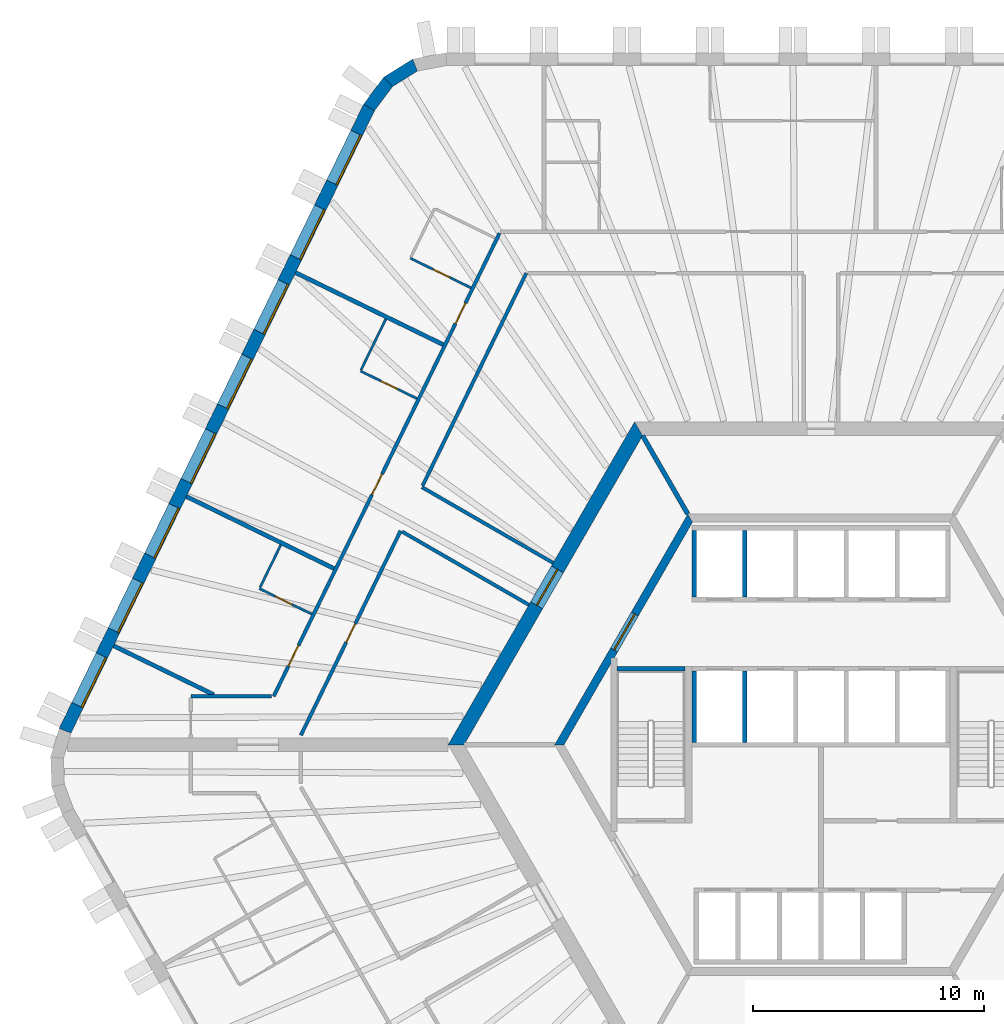
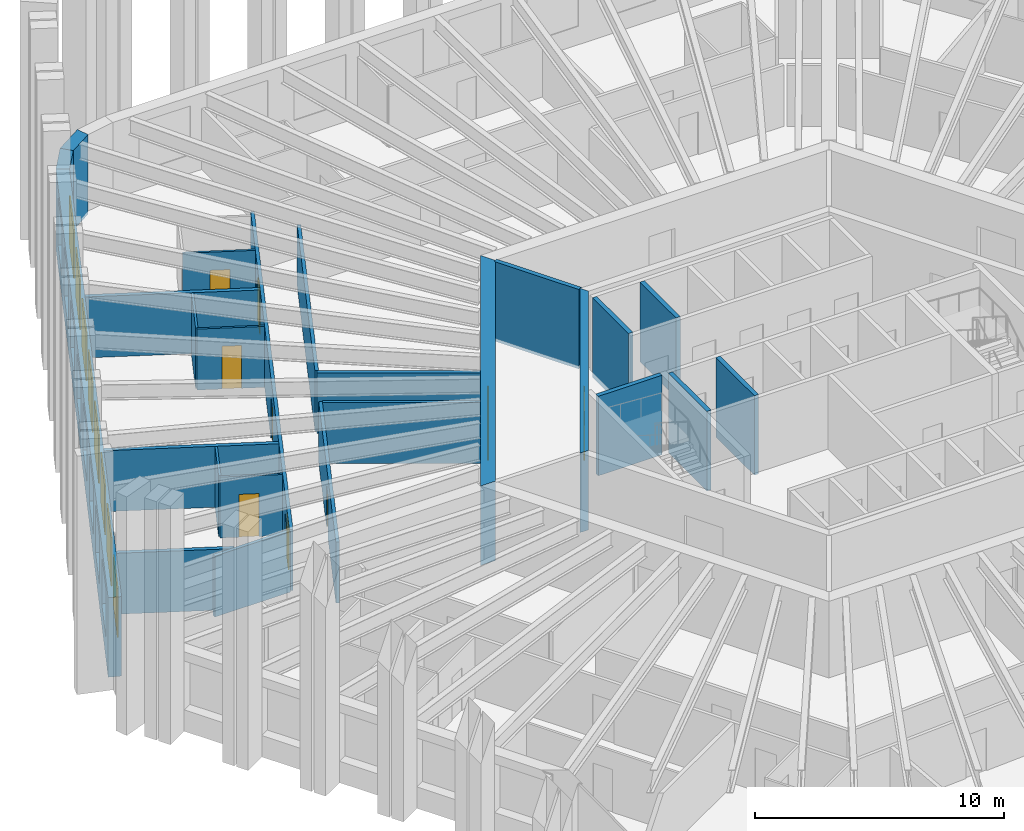
# One storey, part 7 of 12: 25 walls, 9 doors, 8 windows, 17 openings.
"""IFC4 building model written with IfcOpenShell, lengths in metres."""

from ifc_helpers import new_model, si_unit, direction, frame, frame_2d, origin, place, context, subcontext, project, spatial, polyline, rectangle, outline, extrude, material, layer, layer_set, type_object, element, fill, save


model = new_model("IFC4")

# Units and contexts
model_context = context("Model", 3, precision=1e-05, world=origin(), true_north=direction((0.0, 1.0)))
body_context = subcontext(model_context, "Body", "Model", "MODEL_VIEW")
ifc_project = project(units=[si_unit("LENGTHUNIT", "METRE"), si_unit("AREAUNIT", "SQUARE_METRE"), si_unit("VOLUMEUNIT", "CUBIC_METRE"), si_unit("PLANEANGLEUNIT", "RADIAN"), si_unit("MASSUNIT", "GRAM", prefix="KILO")], contexts=[model_context])

# Site, building, storey
site_placement = place(None, origin())
site = spatial("IfcSite", under=ifc_project, at=site_placement, CompositionType="ELEMENT")
building_placement = place(site_placement, origin())
building = spatial("IfcBuilding", under=site, at=building_placement, Name="Tarnside Tower", CompositionType="ELEMENT")
storey_placement = place(building_placement, frame((0.0, 0.0, 99.89990234375)))
storey = spatial("IfcBuildingStorey", under=building, at=storey_placement, Name="L22", CompositionType="ELEMENT", Elevation=99.89990234375)

# Wall, opening, door
ifc_material_1 = material(Name="Gypsum board partition on steel studs", Category="steel")
ifc_layer_1 = layer(ifc_material_1, 0.10009765625)
ifc_layer_set_1 = layer_set([ifc_layer_1], Name="Bathroom wall 100")
wall_type_1 = type_object("IfcWallType", Name="Bathroom wall 100", PredefinedType="PARTITIONING", material=ifc_layer_set_1)
wall_1_placement = place(storey_placement, frame((-15.17626953125, 19.811279296875, 0.0), z_axis=(0.0, 0.0, 1.0), x_axis=(-0.898790906006, 0.438377585285, 0.0)))
wall_1 = element("IfcWall", 1, at=wall_1_placement, inside=storey, type_object=wall_type_1, Name="Bathroom wall 07090", PredefinedType="PARTITIONING", context=body_context, shape_type="SweptSolid", body=[
    extrude(rectangle(XDim=2.925048828125, YDim=0.10009765625, at=frame_2d((1.46240234375, 0.0))), origin(), (0.0, 0.0, 1.0), 2.98779296875),
])
opening_1_placement = place(wall_1_placement, frame((1.02490234375, 0.0, 0.0)))
opening_1 = element("IfcOpeningElement", 2, at=opening_1_placement, cuts=wall_1, Name="Opening D-B1", PredefinedType="OPENING", context=body_context, shape_type="SweptSolid", body=[
    extrude(rectangle(XDim=0.800048828125, YDim=2.10009765625, at=frame_2d((0.39990234375, 1.050048828125))), frame((0.0, 0.06005859375, 0.0), z_axis=(0.0, -1.0, 0.0), x_axis=(1.0, 0.0, 0.0)), (0.0, 0.0, 1.0), 0.1201171875),
])
ifc_material_2 = material(Name="Timber door leaf", Category="wood")
door_type_1 = type_object("IfcDoorType", Name="Bathroom door 800", OperationType="NOTDEFINED", PredefinedType="DOOR", material=ifc_material_2)
door_1_placement = place(opening_1_placement, origin())
door_1 = element("IfcDoor", 3, at=door_1_placement, inside=storey, type_object=door_type_1, Name="Bathroom door 07008", OperationType="SINGLE_SWING_RIGHT", OverallHeight=2.10009765625, OverallWidth=0.800048828125, PredefinedType="DOOR", context=body_context, shape_type="SweptSolid", body=[
    extrude(rectangle(XDim=0.800048828125, YDim=2.10009765625, at=frame_2d((0.39990234375, 1.050048828125))), frame((0.0, 0.02490234375, 0.0), z_axis=(0.0, -1.0, 0.0), x_axis=(1.0, 0.0, 0.0)), (0.0, 0.0, 1.0), 0.050048828125),
])
fill(opening_1, door_1)

wall_2_placement = place(storey_placement, frame((-17.51806640625, 15.009521484375, 0.0), z_axis=(0.0, 0.0, 1.0), x_axis=(-0.898791692788, 0.43837597217, 0.0)))
wall_2 = element("IfcWall", 4, at=wall_2_placement, inside=storey, type_object=wall_type_1, Name="Bathroom wall 07095", PredefinedType="PARTITIONING", context=body_context, shape_type="SweptSolid", body=[
    extrude(rectangle(XDim=2.72509765625, YDim=0.10009765625, at=frame_2d((1.362548828125, 0.0))), origin(), (0.0, 0.0, 1.0), 2.98779296875),
])
opening_2_placement = place(wall_2_placement, frame((0.925048828125, 0.0, 0.0)))
opening_2 = element("IfcOpeningElement", 5, at=opening_2_placement, cuts=wall_2, Name="Opening D-B1", PredefinedType="OPENING", context=body_context, shape_type="SweptSolid", body=[
    extrude(rectangle(XDim=0.800048828125, YDim=2.10009765625, at=frame_2d((0.39990234375, 1.050048828125))), frame((0.0, 0.06005859375, 0.0), z_axis=(0.0, -1.0, 0.0), x_axis=(1.0, 0.0, 0.0)), (0.0, 0.0, 1.0), 0.1201171875),
])
door_2_placement = place(opening_2_placement, origin())
door_2 = element("IfcDoor", 6, at=door_2_placement, inside=storey, type_object=door_type_1, Name="Bathroom door 07010", OperationType="SINGLE_SWING_RIGHT", OverallHeight=2.10009765625, OverallWidth=0.800048828125, PredefinedType="DOOR", context=body_context, shape_type="SweptSolid", body=[
    extrude(rectangle(XDim=0.800048828125, YDim=2.10009765625, at=frame_2d((0.39990234375, 1.050048828125))), frame((0.0, 0.02490234375, 0.0), z_axis=(0.0, -1.0, 0.0), x_axis=(1.0, 0.0, 0.0)), (0.0, 0.0, 1.0), 0.050048828125),
])
fill(opening_2, door_2)

# Wall
wall_3_placement = place(storey_placement, frame((-19.945556640625, 16.2490234375, 0.0), z_axis=(0.0, 0.0, 1.0), x_axis=(0.438419721753, 0.898770353082, 0.0)))
element("IfcWall", 7, at=wall_3_placement, inside=storey, type_object=wall_type_1, Name="Bathroom wall 07096", PredefinedType="PARTITIONING", context=body_context, shape_type="SweptSolid", body=[
    extrude(rectangle(XDim=2.460205078125, YDim=0.10009765625, at=frame_2d((1.22998046875, 0.0))), origin(), (0.0, 0.0, 1.0), 2.98779296875),
])

# Wall, opening, door
wall_4_placement = place(storey_placement, frame((-22.0771484375, 5.662109375, 0.0), z_axis=(0.0, 0.0, 1.0), x_axis=(-0.898792604152, 0.438374103617, 0.0)))
wall_4 = element("IfcWall", 8, at=wall_4_placement, inside=storey, type_object=wall_type_1, Name="Bathroom wall 07099", PredefinedType="PARTITIONING", context=body_context, shape_type="SweptSolid", body=[
    extrude(rectangle(XDim=2.525146484375, YDim=0.10009765625, at=frame_2d((1.2626953125, 0.0))), origin(), (0.0, 0.0, 1.0), 2.98779296875),
])
opening_3_placement = place(wall_4_placement, frame((0.955078125, 0.0, 0.0)))
opening_3 = element("IfcOpeningElement", 9, at=opening_3_placement, cuts=wall_4, Name="Opening D-B1", PredefinedType="OPENING", context=body_context, shape_type="SweptSolid", body=[
    extrude(rectangle(XDim=0.800048828125, YDim=2.10009765625, at=frame_2d((0.39990234375, 1.050048828125))), frame((0.0, 0.06005859375, 0.0), z_axis=(0.0, -1.0, 0.0), x_axis=(1.0, 0.0, 0.0)), (0.0, 0.0, 1.0), 0.1201171875),
])
door_3_placement = place(opening_3_placement, origin())
door_3 = element("IfcDoor", 10, at=door_3_placement, inside=storey, type_object=door_type_1, Name="Bathroom door 07012", OperationType="SINGLE_SWING_LEFT", OverallHeight=2.10009765625, OverallWidth=0.800048828125, PredefinedType="DOOR", context=body_context, shape_type="SweptSolid", body=[
    extrude(rectangle(XDim=0.800048828125, YDim=2.10009765625, at=frame_2d((0.39990234375, 1.050048828125))), frame((0.0, 0.02490234375, 0.0), z_axis=(0.0, -1.0, 0.0), x_axis=(1.0, 0.0, 0.0)), (0.0, 0.0, 1.0), 0.050048828125),
])
fill(opening_3, door_3)

# Wall
wall_5_placement = place(storey_placement, frame((-24.32470703125, 6.81396484375, 0.0), z_axis=(0.0, 0.0, 1.0), x_axis=(0.438374597956, 0.898792363044, 0.0)))
element("IfcWall", 11, at=wall_5_placement, inside=storey, type_object=wall_type_1, Name="Bathroom wall 07100", PredefinedType="PARTITIONING", context=body_context, shape_type="SweptSolid", body=[
    extrude(rectangle(XDim=2.06005859375, YDim=0.10009765625, at=frame_2d((1.030029296875, 0.0))), origin(), (0.0, 0.0, 1.0), 2.98779296875),
])

# Wall, opening, door
ifc_material_3 = material(Name="Concrete C50/60", Category="concrete")
ifc_layer_2 = layer(ifc_material_3, 0.35009765625)
ifc_layer_set_2 = layer_set([ifc_layer_2], Name="Core block wall 350 C50/60")
wall_type_2 = type_object("IfcWallType", Name="Core block wall 350 C50/60", PredefinedType="SHEAR", material=ifc_layer_set_2)
wall_6_placement = place(storey_placement, frame((-5.672607421875, 9.824951171875, -0.14990234375), z_axis=(0.0, 0.0, 1.0), x_axis=(-0.499995046907, -0.866028263435, 0.0)))
wall_6 = element("IfcWall", 12, at=wall_6_placement, inside=storey, type_object=wall_type_2, Name="L22 core block wall face 2", PredefinedType="SHEAR", context=body_context, shape_type="SweptSolid", body=[
    extrude(outline(polyline([(-0.10107421875, -0.175048828125), (11.44580078125, -0.175048828125), (11.24365234375, 0.175048828125), (0.10107421875, 0.175048828125), (-0.10107421875, -0.175048828125)])), origin(), (0.0, 0.0, 1.0), 3.89990234375),
])
opening_4_placement = place(wall_6_placement, frame((4.80126953125, 0.0, 0.14990234375)))
opening_4 = element("IfcOpeningElement", 13, at=opening_4_placement, cuts=wall_6, Name="Opening CD-LOB", PredefinedType="OPENING", context=body_context, shape_type="SweptSolid", body=[
    extrude(rectangle(XDim=1.800048828125, YDim=2.39990234375, at=frame_2d((0.89990234375, 1.199951171875))), frame((0.0, 0.18505859375, 0.0), z_axis=(0.0, -1.0, 0.0), x_axis=(1.0, 0.0, 0.0)), (0.0, 0.0, 1.0), 0.3701171875),
])
ifc_material_4 = material(Name="Steel fire door", Category="steel")
door_type_2 = type_object("IfcDoorType", Name="Lobby double door FD30S 1800x2400", OperationType="NOTDEFINED", PredefinedType="DOOR", material=ifc_material_4)
door_4_placement = place(opening_4_placement, origin())
door_4 = element("IfcDoor", 14, at=door_4_placement, inside=storey, type_object=door_type_2, Name="L22 lobby block door P1", OperationType="DOUBLE_DOOR_SINGLE_SWING", OverallHeight=2.39990234375, OverallWidth=1.800048828125, PredefinedType="DOOR", context=body_context, shape_type="SweptSolid", body=[
    extrude(rectangle(XDim=1.800048828125, YDim=2.39990234375, at=frame_2d((0.89990234375, 1.199951171875))), frame((0.0, 0.02490234375, 0.0), z_axis=(0.0, -1.0, 0.0), x_axis=(1.0, 0.0, 0.0)), (0.0, 0.0, 1.0), 0.050048828125),
])
fill(opening_4, door_4)

ifc_material_5 = material(Name="Concrete C80/95", Category="concrete")
ifc_layer_3 = layer(ifc_material_5, 0.60009765625)
ifc_layer_set_3 = layer_set([ifc_layer_3], Name="Core wall Z1 600 C80/95")
wall_type_3 = type_object("IfcWallType", Name="Core wall Z1 600 C80/95", PredefinedType="SHEAR", material=ifc_layer_set_3)
wall_7_placement = place(storey_placement, frame((-7.90966796875, 13.699951171875, -0.14990234375), z_axis=(0.0, 0.0, 1.0), x_axis=(-0.499999880136, -0.866025472988, 0.0)))
wall_7 = element("IfcWall", 15, at=wall_7_placement, inside=storey, type_object=wall_type_3, Name="L22 core wall face 2", PredefinedType="SHEAR", context=body_context, shape_type="SweptSolid", body=[
    extrude(outline(polyline([(-0.17333984375, -0.300048828125), (15.99267578125, -0.300048828125), (15.64599609375, 0.300048828125), (0.17333984375, 0.300048828125), (-0.17333984375, -0.300048828125)])), origin(), (0.0, 0.0, 1.0), 3.89990234375),
])
opening_5_placement = place(wall_7_placement, frame((7.03857421875, 0.0, 0.14990234375)))
opening_5 = element("IfcOpeningElement", 16, at=opening_5_placement, cuts=wall_7, Name="Opening CD-LOB", PredefinedType="OPENING", context=body_context, shape_type="SweptSolid", body=[
    extrude(rectangle(XDim=1.800048828125, YDim=2.39990234375, at=frame_2d((0.89990234375, 1.199951171875))), frame((0.0, 0.31005859375, 0.0), z_axis=(0.0, -1.0, 0.0), x_axis=(1.0, 0.0, 0.0)), (0.0, 0.0, 1.0), 0.6201171875),
])
door_5_placement = place(opening_5_placement, origin())
door_5 = element("IfcDoor", 17, at=door_5_placement, inside=storey, type_object=door_type_2, Name="L22 core door P1", OperationType="DOUBLE_DOOR_SINGLE_SWING", OverallHeight=2.39990234375, OverallWidth=1.800048828125, PredefinedType="DOOR", context=body_context, shape_type="SweptSolid", body=[
    extrude(rectangle(XDim=1.800048828125, YDim=2.39990234375, at=frame_2d((0.89990234375, 1.199951171875))), frame((0.0, 0.02490234375, 0.0), z_axis=(0.0, -1.0, 0.0), x_axis=(1.0, 0.0, 0.0)), (0.0, 0.0, 1.0), 0.050048828125),
])
fill(opening_5, door_5)

# Wall, openings, doors
ifc_layer_4 = layer(ifc_material_1, 0.14990234375)
ifc_layer_set_4 = layer_set([ifc_layer_4], Name="Corridor wall 150 EI 60")
wall_type_4 = type_object("IfcWallType", Name="Corridor wall 150 EI 60", PredefinedType="PARTITIONING", material=ifc_layer_set_4)
wall_8_placement = place(storey_placement, frame((-13.93994140625, 22.175048828125, 0.0), z_axis=(0.0, 0.0, 1.0), x_axis=(-0.438373022655, -0.898793131376, 0.0)))
wall_8 = element("IfcWall", 18, at=wall_8_placement, inside=storey, type_object=wall_type_4, Name="Corridor wall 07007", PredefinedType="PARTITIONING", context=body_context, shape_type="SweptSolid", body=[
    extrude(rectangle(XDim=22.33544921875, YDim=0.14990234375, at=frame_2d((11.167724609375, 0.0))), origin(), (0.0, 0.0, 1.0), 2.98779296875),
])
opening_6_placement = place(wall_8_placement, frame((3.36279296875, 0.0, 0.0)))
opening_6 = element("IfcOpeningElement", 19, at=opening_6_placement, cuts=wall_8, Name="Opening D-E1", PredefinedType="OPENING", context=body_context, shape_type="SweptSolid", body=[
    extrude(rectangle(XDim=1.0, YDim=2.10009765625, at=frame_2d((0.5, 1.050048828125))), frame((0.0, 0.0849609375, 0.0), z_axis=(0.0, -1.0, 0.0), x_axis=(1.0, 0.0, 0.0)), (0.0, 0.0, 1.0), 0.169921875),
])
opening_7_placement = place(wall_8_placement, frame((11.60888671875, 0.0, 0.0)))
opening_7 = element("IfcOpeningElement", 20, at=opening_7_placement, cuts=wall_8, Name="Opening D-E1", PredefinedType="OPENING", context=body_context, shape_type="SweptSolid", body=[
    extrude(rectangle(XDim=1.0, YDim=2.10009765625, at=frame_2d((0.5, 1.050048828125))), frame((0.0, 0.0849609375, 0.0), z_axis=(0.0, -1.0, 0.0), x_axis=(1.0, 0.0, 0.0)), (0.0, 0.0, 1.0), 0.169921875),
])
opening_8_placement = place(wall_8_placement, frame((19.8720703125, 0.0, 0.0)))
opening_8 = element("IfcOpeningElement", 21, at=opening_8_placement, cuts=wall_8, Name="Opening D-E1", PredefinedType="OPENING", context=body_context, shape_type="SweptSolid", body=[
    extrude(rectangle(XDim=1.0, YDim=2.10009765625, at=frame_2d((0.5, 1.050048828125))), frame((0.0, 0.0849609375, 0.0), z_axis=(0.0, -1.0, 0.0), x_axis=(1.0, 0.0, 0.0)), (0.0, 0.0, 1.0), 0.169921875),
])
door_type_3 = type_object("IfcDoorType", Name="Unit entrance door 1000 FD30S", OperationType="NOTDEFINED", PredefinedType="DOOR", material=ifc_material_2)
door_6_placement = place(opening_6_placement, origin())
door_6 = element("IfcDoor", 22, at=door_6_placement, inside=storey, type_object=door_type_3, Name="Unit door 07007", OperationType="SINGLE_SWING_LEFT", OverallHeight=2.10009765625, OverallWidth=1.0, PredefinedType="DOOR", context=body_context, shape_type="SweptSolid", body=[
    extrude(rectangle(XDim=1.0, YDim=2.10009765625, at=frame_2d((0.5, 1.050048828125))), frame((0.0, 0.02490234375, 0.0), z_axis=(0.0, -1.0, 0.0), x_axis=(1.0, 0.0, 0.0)), (0.0, 0.0, 1.0), 0.050048828125),
])
fill(opening_6, door_6)
door_7_placement = place(opening_7_placement, origin())
door_7 = element("IfcDoor", 23, at=door_7_placement, inside=storey, type_object=door_type_3, Name="Unit door 07009", OperationType="SINGLE_SWING_LEFT", OverallHeight=2.10009765625, OverallWidth=1.0, PredefinedType="DOOR", context=body_context, shape_type="SweptSolid", body=[
    extrude(rectangle(XDim=1.0, YDim=2.10009765625, at=frame_2d((0.5, 1.050048828125))), frame((0.0, 0.02490234375, 0.0), z_axis=(0.0, -1.0, 0.0), x_axis=(1.0, 0.0, 0.0)), (0.0, 0.0, 1.0), 0.050048828125),
])
fill(opening_7, door_7)
door_8_placement = place(opening_8_placement, origin())
door_8 = element("IfcDoor", 24, at=door_8_placement, inside=storey, type_object=door_type_3, Name="Unit door 07011", OperationType="SINGLE_SWING_RIGHT", OverallHeight=2.10009765625, OverallWidth=1.0, PredefinedType="DOOR", context=body_context, shape_type="SweptSolid", body=[
    extrude(rectangle(XDim=1.0, YDim=2.10009765625, at=frame_2d((0.5, 1.050048828125))), frame((0.0, 0.02490234375, 0.0), z_axis=(0.0, -1.0, 0.0), x_axis=(1.0, 0.0, 0.0)), (0.0, 0.0, 1.0), 0.050048828125),
])
fill(opening_8, door_8)

# Walls
wall_9_placement = place(storey_placement, frame((-23.814697265625, 2.10009765625, 0.0), z_axis=(0.0, 0.0, 1.0), x_axis=(-1.0, 0.0, 0.0)))
element("IfcWall", 25, at=wall_9_placement, inside=storey, type_object=wall_type_4, Name="Corridor wall 07014", PredefinedType="PARTITIONING", context=body_context, shape_type="SweptSolid", body=[
    extrude(rectangle(XDim=3.505615234375, YDim=0.14990234375, at=frame_2d((1.7529296875, 0.0))), origin(), (0.0, 0.0, 1.0), 2.98779296875),
])
wall_10_placement = place(storey_placement, frame((-11.61376953125, 7.88427734375, 0.0), z_axis=(0.0, 0.0, 1.0), x_axis=(-0.866025963225, 0.49999903102, 0.0)))
element("IfcWall", 26, at=wall_10_placement, inside=storey, type_object=wall_type_4, Name="Corridor wall 07018", PredefinedType="PARTITIONING", context=body_context, shape_type="SweptSolid", body=[
    extrude(rectangle(XDim=6.5712890625, YDim=0.14990234375, at=frame_2d((3.28564453125, 0.0))), origin(), (0.0, 0.0, 1.0), 2.98779296875),
])
wall_11_placement = place(storey_placement, frame((-17.271728515625, 11.237548828125, 0.0), z_axis=(0.0, 0.0, 1.0), x_axis=(0.438369193793, 0.898794998836, 0.0)))
element("IfcWall", 27, at=wall_11_placement, inside=storey, type_object=wall_type_4, Name="Corridor wall 07019", PredefinedType="PARTITIONING", context=body_context, shape_type="SweptSolid", body=[
    extrude(rectangle(XDim=10.249755859375, YDim=0.14990234375, at=frame_2d((5.125, 0.0))), origin(), (0.0, 0.0, 1.0), 2.98779296875),
])

# Wall, opening, door
wall_12_placement = place(storey_placement, frame((-22.552734375, 0.41015625, 0.0), z_axis=(0.0, 0.0, 1.0), x_axis=(0.438382679221, 0.898788421465, 0.0)))
wall_12 = element("IfcWall", 28, at=wall_12_placement, inside=storey, type_object=wall_type_4, Name="Corridor wall 07025", PredefinedType="PARTITIONING", context=body_context, shape_type="SweptSolid", body=[
    extrude(rectangle(XDim=9.8662109375, YDim=0.14990234375, at=frame_2d((4.93310546875, 0.0))), origin(), (0.0, 0.0, 1.0), 2.98779296875),
])
opening_9_placement = place(wall_12_placement, frame((4.483154296875, 0.0, 0.0)))
opening_9 = element("IfcOpeningElement", 29, at=opening_9_placement, cuts=wall_12, Name="Opening D-S1", PredefinedType="OPENING", context=body_context, shape_type="SweptSolid", body=[
    extrude(rectangle(XDim=0.89990234375, YDim=2.10009765625, at=frame_2d((0.449951171875, 1.050048828125))), frame((0.0, 0.0849609375, 0.0), z_axis=(0.0, -1.0, 0.0), x_axis=(1.0, 0.0, 0.0)), (0.0, 0.0, 1.0), 0.169921875),
])
door_type_4 = type_object("IfcDoorType", Name="Service room door 900 FD30S", OperationType="NOTDEFINED", PredefinedType="DOOR", material=ifc_material_2)
door_9_placement = place(opening_9_placement, origin())
door_9 = element("IfcDoor", 30, at=door_9_placement, inside=storey, type_object=door_type_4, Name="Service door 07044", OperationType="SINGLE_SWING_RIGHT", OverallHeight=2.10009765625, OverallWidth=0.89990234375, PredefinedType="DOOR", context=body_context, shape_type="SweptSolid", body=[
    extrude(rectangle(XDim=0.89990234375, YDim=2.10009765625, at=frame_2d((0.449951171875, 1.050048828125))), frame((0.0, 0.02490234375, 0.0), z_axis=(0.0, -1.0, 0.0), x_axis=(1.0, 0.0, 0.0)), (0.0, 0.0, 1.0), 0.050048828125),
])
fill(opening_9, door_9)

# Walls
wall_13_placement = place(storey_placement, frame((-18.162353515625, 9.240234375, 0.0), z_axis=(0.0, 0.0, 1.0), x_axis=(0.866026781814, -0.499997613175, 0.0)))
element("IfcWall", 31, at=wall_13_placement, inside=storey, type_object=wall_type_4, Name="Corridor wall 07026", PredefinedType="PARTITIONING", context=body_context, shape_type="SweptSolid", body=[
    extrude(rectangle(XDim=6.34912109375, YDim=0.14990234375, at=frame_2d((3.174560546875, 0.0))), origin(), (0.0, 0.0, 1.0), 2.98779296875),
])
ifc_layer_5 = layer(ifc_material_1, 0.179931640625)
ifc_layer_set_5 = layer_set([ifc_layer_5], Name="Demising wall 180 EI 60")
wall_type_5 = type_object("IfcWallType", Name="Demising wall 180 EI 60", PredefinedType="PARTITIONING", material=ifc_layer_set_5)
for number, where, z_axis, x_axis, name in (
    (32, (-22.7822265625, 20.469970703125, 0.0), (0.0, 0.0, 1.0), (0.898783593711, -0.438392577123, 0.0), "Demising wall 07093"),
    (33, (-27.5166015625, 10.762939453125, 0.0), (0.0, 0.0, 1.0), (0.898783593711, -0.438392577123, 0.0), "Demising wall 07097"),
):
    element("IfcWall", number, at=place(storey_placement, frame(where, z_axis=z_axis, x_axis=x_axis)), inside=storey, type_object=wall_type_5, Name=name, PredefinedType="PARTITIONING", context=body_context, shape_type="SweptSolid", body=[
        extrude(rectangle(XDim=7.125, YDim=0.179931640625, at=frame_2d((3.5625, 0.0))), origin(), (0.0, 0.0, 1.0), 2.98779296875),
    ])
wall_14_placement = place(storey_placement, frame((-30.673095703125, 4.29150390625, 0.0), z_axis=(0.0, 0.0, 1.0), x_axis=(0.898812662672, -0.438332975512, 0.0)))
element("IfcWall", 34, at=wall_14_placement, inside=storey, type_object=wall_type_5, Name="Demising wall 07101", PredefinedType="PARTITIONING", context=body_context, shape_type="SweptSolid", body=[
    extrude(rectangle(XDim=4.828369140625, YDim=0.179931640625, at=frame_2d((2.4140625, 0.0))), origin(), (0.0, 0.0, 1.0), 2.98779296875),
])
ifc_material_6 = material(Name="Concrete C40/50", Category="concrete")
ifc_layer_6 = layer(ifc_material_6, 0.199951171875)
ifc_layer_set_6 = layer_set([ifc_layer_6], Name="Lift shaft wall 200 C40/50")
wall_type_6 = type_object("IfcWallType", Name="Lift shaft wall 200 C40/50", PredefinedType="SHEAR", material=ifc_layer_set_6)
for number, where, z_axis, x_axis, name in (
    (35, (-5.5, 6.39990234375, -0.25), (0.0, 0.0, 1.0), (0.0, 1.0, 0.0), "L22 lift shaft partition R11"),
    (36, (-3.300048828125, 6.39990234375, -0.25), (0.0, 0.0, 1.0), (0.0, 1.0, 0.0), "L22 lift shaft partition R12"),
):
    element("IfcWall", number, at=place(storey_placement, frame(where, z_axis=z_axis, x_axis=x_axis)), inside=storey, type_object=wall_type_6, Name=name, PredefinedType="SHEAR", context=body_context, shape_type="SweptSolid", body=[
        extrude(rectangle(XDim=2.900146484375, YDim=0.199951171875, at=frame_2d((1.4501953125, 0.0))), origin(), (0.0, 0.0, 1.0), 3.900146484375),
    ])
for number, where, z_axis, x_axis, name in (
    (37, (-5.5, 0.10009765625, -0.25), (0.0, 0.0, 1.0), (0.0, 1.0, 0.0), "L22 lift shaft partition R21"),
    (38, (-3.300048828125, 0.10009765625, -0.25), (0.0, 0.0, 1.0), (0.0, 1.0, 0.0), "L22 lift shaft partition R22"),
):
    element("IfcWall", number, at=place(storey_placement, frame(where, z_axis=z_axis, x_axis=x_axis)), inside=storey, type_object=wall_type_6, Name=name, PredefinedType="SHEAR", context=body_context, shape_type="SweptSolid", body=[
        extrude(rectangle(XDim=3.099853515625, YDim=0.199951171875, at=frame_2d((1.5498046875, 0.0))), origin(), (0.0, 0.0, 1.0), 3.900146484375),
    ])
wall_15_placement = place(storey_placement, frame((-5.7734375, 10.0, -0.14990234375), z_axis=(0.0, 0.0, 1.0), x_axis=(-0.500038251005, 0.86600331843, 0.0)))
element("IfcWall", 39, at=wall_15_placement, inside=storey, type_object=wall_type_6, Name="L22 core partition AR120", PredefinedType="SHEAR", context=body_context, shape_type="SweptSolid", body=[
    extrude(rectangle(XDim=3.926025390625, YDim=0.199951171875, at=frame_2d((1.962890625, 0.0))), origin(), (0.0, 0.0, 1.0), 3.89990234375),
])
wall_16_placement = place(storey_placement, frame((-8.85009765625, 3.300048828125, -0.25), z_axis=(0.0, 0.0, 1.0), x_axis=(1.0, 0.0, 0.0)))
element("IfcWall", 40, at=wall_16_placement, inside=storey, type_object=wall_type_6, Name="L22 stair 2 enclosure cap wall n", PredefinedType="SHEAR", context=body_context, shape_type="SweptSolid", body=[
    extrude(rectangle(XDim=2.9501953125, YDim=0.199951171875, at=frame_2d((1.47509765625, 0.0))), origin(), (0.0, 0.0, 1.0), 3.900146484375),
])
ifc_material_7 = material(Name="Facing brick", Category="masonry")
ifc_layer_7 = layer(ifc_material_7, 0.10205078125)
ifc_material_8 = material(Name="Concrete C60/75 precast", Category="concrete")
ifc_layer_8 = layer(ifc_material_8, 0.347900390625)
ifc_material_9 = material(Name="Mineral wool insulation")
ifc_layer_9 = layer(ifc_material_9, 0.10009765625)
ifc_layer_set_7 = layer_set([ifc_layer_7, ifc_layer_8, ifc_layer_9], Name="Tube wall 550 brick faced")
wall_type_7 = type_object("IfcWallType", Name="Tube wall 550 brick faced", PredefinedType="SOLIDWALL", material=ifc_layer_set_7)
wall_17_placement = place(storey_placement, frame((-17.601806640625, 29.4697265625, -0.14990234375), z_axis=(0.0, 0.0, 1.0), x_axis=(-0.848057977594, -0.5299034503, 0.0)))
element("IfcWall", 41, at=wall_17_placement, inside=storey, type_object=wall_type_7, Name="Tube wall L22 F1 chord 02", PredefinedType="SOLIDWALL", context=body_context, shape_type="SweptSolid", body=[
    extrude(outline(polyline([(-0.0517578125, -0.27490234375), (1.4306640625, -0.27490234375), (1.3271484375, 0.27490234375), (0.0517578125, 0.27490234375), (-0.0517578125, -0.27490234375)])), origin(), (0.0, 0.0, 1.0), 3.89990234375),
])
wall_18_placement = place(storey_placement, frame((-18.771240234375, 28.739013671875, -0.14990234375), z_axis=(0.0, 0.0, 1.0), x_axis=(-0.597135295884, -0.802140535324, 0.0)))
element("IfcWall", 42, at=wall_18_placement, inside=storey, type_object=wall_type_7, Name="Tube wall L22 F1 chord 03", PredefinedType="SOLIDWALL", context=body_context, shape_type="SweptSolid", body=[
    extrude(outline(polyline([(-0.0517578125, -0.27490234375), (1.40478515625, -0.27490234375), (1.353515625, 0.27490234375), (0.0517578125, 0.27490234375), (-0.0517578125, -0.27490234375)])), origin(), (0.0, 0.0, 1.0), 3.89990234375),
])

# Wall, openings, windows
wall_19_placement = place(storey_placement, frame((-19.5947265625, 27.6328125, -0.14990234375), z_axis=(0.0, 0.0, 1.0), x_axis=(-0.438368285794, -0.898795441694, 0.0)))
wall_19 = element("IfcWall", 43, at=wall_19_placement, inside=storey, type_object=wall_type_7, Name="Tube wall L22 F2 flush 04", PredefinedType="SOLIDWALL", context=body_context, shape_type="SweptSolid", body=[
    extrude(outline(polyline([(-0.025634765625, -0.27490234375), (30.09326171875, -0.27490234375), (30.04833984375, 0.27490234375), (0.025634765625, 0.27490234375), (-0.025634765625, -0.27490234375)])), origin(), (0.0, 0.0, 1.0), 3.89990234375),
])
opening_10_placement = place(wall_19_placement, frame((1.235595703125, 0.0, 1.050048828125)))
opening_10 = element("IfcOpeningElement", 44, at=opening_10_placement, cuts=wall_19, Name="Opening WH", PredefinedType="OPENING", context=body_context, shape_type="SweptSolid", body=[
    extrude(rectangle(XDim=2.39990234375, YDim=2.39990234375, at=frame_2d((1.199951171875, 1.199951171875))), frame((0.0, 0.28515625, 0.0), z_axis=(0.0, -1.0, 0.0), x_axis=(1.0, 0.0, 0.0)), (0.0, 0.0, 1.0), 0.570068359375),
])
opening_11_placement = place(wall_19_placement, frame((4.83544921875, 0.0, 1.050048828125)))
opening_11 = element("IfcOpeningElement", 45, at=opening_11_placement, cuts=wall_19, Name="Opening WH", PredefinedType="OPENING", context=body_context, shape_type="SweptSolid", body=[
    extrude(rectangle(XDim=2.39990234375, YDim=2.39990234375, at=frame_2d((1.199951171875, 1.199951171875))), frame((0.0, 0.28515625, 0.0), z_axis=(0.0, -1.0, 0.0), x_axis=(1.0, 0.0, 0.0)), (0.0, 0.0, 1.0), 0.570068359375),
])
opening_12_placement = place(wall_19_placement, frame((8.435546875, 0.0, 1.050048828125)))
opening_12 = element("IfcOpeningElement", 46, at=opening_12_placement, cuts=wall_19, Name="Opening WH", PredefinedType="OPENING", context=body_context, shape_type="SweptSolid", body=[
    extrude(rectangle(XDim=2.39990234375, YDim=2.39990234375, at=frame_2d((1.199951171875, 1.199951171875))), frame((0.0, 0.28515625, 0.0), z_axis=(0.0, -1.0, 0.0), x_axis=(1.0, 0.0, 0.0)), (0.0, 0.0, 1.0), 0.570068359375),
])
opening_13_placement = place(wall_19_placement, frame((12.035400390625, 0.0, 1.050048828125)))
opening_13 = element("IfcOpeningElement", 47, at=opening_13_placement, cuts=wall_19, Name="Opening WH", PredefinedType="OPENING", context=body_context, shape_type="SweptSolid", body=[
    extrude(rectangle(XDim=2.39990234375, YDim=2.39990234375, at=frame_2d((1.199951171875, 1.199951171875))), frame((0.0, 0.28515625, 0.0), z_axis=(0.0, -1.0, 0.0), x_axis=(1.0, 0.0, 0.0)), (0.0, 0.0, 1.0), 0.570068359375),
])
opening_14_placement = place(wall_19_placement, frame((15.635498046875, 0.0, 1.050048828125)))
opening_14 = element("IfcOpeningElement", 48, at=opening_14_placement, cuts=wall_19, Name="Opening WH", PredefinedType="OPENING", context=body_context, shape_type="SweptSolid", body=[
    extrude(rectangle(XDim=2.39990234375, YDim=2.39990234375, at=frame_2d((1.199951171875, 1.199951171875))), frame((0.0, 0.28515625, 0.0), z_axis=(0.0, -1.0, 0.0), x_axis=(1.0, 0.0, 0.0)), (0.0, 0.0, 1.0), 0.570068359375),
])
opening_15_placement = place(wall_19_placement, frame((19.235595703125, 0.0, 1.050048828125)))
opening_15 = element("IfcOpeningElement", 49, at=opening_15_placement, cuts=wall_19, Name="Opening WH", PredefinedType="OPENING", context=body_context, shape_type="SweptSolid", body=[
    extrude(rectangle(XDim=2.39990234375, YDim=2.39990234375, at=frame_2d((1.199951171875, 1.199951171875))), frame((0.0, 0.28515625, 0.0), z_axis=(0.0, -1.0, 0.0), x_axis=(1.0, 0.0, 0.0)), (0.0, 0.0, 1.0), 0.570068359375),
])
opening_16_placement = place(wall_19_placement, frame((22.83544921875, 0.0, 1.050048828125)))
opening_16 = element("IfcOpeningElement", 50, at=opening_16_placement, cuts=wall_19, Name="Opening WH", PredefinedType="OPENING", context=body_context, shape_type="SweptSolid", body=[
    extrude(rectangle(XDim=2.39990234375, YDim=2.39990234375, at=frame_2d((1.199951171875, 1.199951171875))), frame((0.0, 0.28515625, 0.0), z_axis=(0.0, -1.0, 0.0), x_axis=(1.0, 0.0, 0.0)), (0.0, 0.0, 1.0), 0.570068359375),
])
opening_17_placement = place(wall_19_placement, frame((26.435546875, 0.0, 1.050048828125)))
opening_17 = element("IfcOpeningElement", 51, at=opening_17_placement, cuts=wall_19, Name="Opening WH", PredefinedType="OPENING", context=body_context, shape_type="SweptSolid", body=[
    extrude(rectangle(XDim=2.39990234375, YDim=2.39990234375, at=frame_2d((1.199951171875, 1.199951171875))), frame((0.0, 0.28515625, 0.0), z_axis=(0.0, -1.0, 0.0), x_axis=(1.0, 0.0, 0.0)), (0.0, 0.0, 1.0), 0.570068359375),
])
ifc_material_10 = material(Name="Aluminium-framed double glazing", Category="aluminium")
window_type = type_object("IfcWindowType", Name="Hotel window 2400 x 2400", PartitioningType="DOUBLE_PANEL_VERTICAL", PredefinedType="WINDOW", material=ifc_material_10)
window_1_placement = place(opening_10_placement, frame((0.0, 0.205078125, 0.0)))
window_1 = element("IfcWindow", 52, at=window_1_placement, inside=storey, type_object=window_type, Name="E.WN.L22.F2.00", OverallHeight=2.39990234375, OverallWidth=2.39990234375, PartitioningType="DOUBLE_PANEL_VERTICAL", PredefinedType="WINDOW", context=body_context, shape_type="SweptSolid", body=[
    extrude(rectangle(XDim=2.39990234375, YDim=2.39990234375, at=frame_2d((1.199951171875, 1.199951171875))), frame((0.0, 0.030029296875, 0.0), z_axis=(0.0, -1.0, 0.0), x_axis=(1.0, 0.0, 0.0)), (0.0, 0.0, 1.0), 0.06005859375),
])
fill(opening_10, window_1)
window_2_placement = place(opening_11_placement, frame((0.0, 0.205078125, 0.0)))
window_2 = element("IfcWindow", 53, at=window_2_placement, inside=storey, type_object=window_type, Name="E.WN.L22.F2.01", OverallHeight=2.39990234375, OverallWidth=2.39990234375, PartitioningType="DOUBLE_PANEL_VERTICAL", PredefinedType="WINDOW", context=body_context, shape_type="SweptSolid", body=[
    extrude(rectangle(XDim=2.39990234375, YDim=2.39990234375, at=frame_2d((1.199951171875, 1.199951171875))), frame((0.0, 0.030029296875, 0.0), z_axis=(0.0, -1.0, 0.0), x_axis=(1.0, 0.0, 0.0)), (0.0, 0.0, 1.0), 0.06005859375),
])
fill(opening_11, window_2)
window_3_placement = place(opening_12_placement, frame((0.0, 0.205078125, 0.0)))
window_3 = element("IfcWindow", 54, at=window_3_placement, inside=storey, type_object=window_type, Name="E.WN.L22.F2.02", OverallHeight=2.39990234375, OverallWidth=2.39990234375, PartitioningType="DOUBLE_PANEL_VERTICAL", PredefinedType="WINDOW", context=body_context, shape_type="SweptSolid", body=[
    extrude(rectangle(XDim=2.39990234375, YDim=2.39990234375, at=frame_2d((1.199951171875, 1.199951171875))), frame((0.0, 0.030029296875, 0.0), z_axis=(0.0, -1.0, 0.0), x_axis=(1.0, 0.0, 0.0)), (0.0, 0.0, 1.0), 0.06005859375),
])
fill(opening_12, window_3)
window_4_placement = place(opening_13_placement, frame((0.0, 0.205078125, 0.0)))
window_4 = element("IfcWindow", 55, at=window_4_placement, inside=storey, type_object=window_type, Name="E.WN.L22.F2.03", OverallHeight=2.39990234375, OverallWidth=2.39990234375, PartitioningType="DOUBLE_PANEL_VERTICAL", PredefinedType="WINDOW", context=body_context, shape_type="SweptSolid", body=[
    extrude(rectangle(XDim=2.39990234375, YDim=2.39990234375, at=frame_2d((1.199951171875, 1.199951171875))), frame((0.0, 0.030029296875, 0.0), z_axis=(0.0, -1.0, 0.0), x_axis=(1.0, 0.0, 0.0)), (0.0, 0.0, 1.0), 0.06005859375),
])
fill(opening_13, window_4)
window_5_placement = place(opening_14_placement, frame((0.0, 0.205078125, 0.0)))
window_5 = element("IfcWindow", 56, at=window_5_placement, inside=storey, type_object=window_type, Name="E.WN.L22.F2.04", OverallHeight=2.39990234375, OverallWidth=2.39990234375, PartitioningType="DOUBLE_PANEL_VERTICAL", PredefinedType="WINDOW", context=body_context, shape_type="SweptSolid", body=[
    extrude(rectangle(XDim=2.39990234375, YDim=2.39990234375, at=frame_2d((1.199951171875, 1.199951171875))), frame((0.0, 0.030029296875, 0.0), z_axis=(0.0, -1.0, 0.0), x_axis=(1.0, 0.0, 0.0)), (0.0, 0.0, 1.0), 0.06005859375),
])
fill(opening_14, window_5)
window_6_placement = place(opening_15_placement, frame((0.0, 0.205078125, 0.0)))
window_6 = element("IfcWindow", 57, at=window_6_placement, inside=storey, type_object=window_type, Name="E.WN.L22.F2.05", OverallHeight=2.39990234375, OverallWidth=2.39990234375, PartitioningType="DOUBLE_PANEL_VERTICAL", PredefinedType="WINDOW", context=body_context, shape_type="SweptSolid", body=[
    extrude(rectangle(XDim=2.39990234375, YDim=2.39990234375, at=frame_2d((1.199951171875, 1.199951171875))), frame((0.0, 0.030029296875, 0.0), z_axis=(0.0, -1.0, 0.0), x_axis=(1.0, 0.0, 0.0)), (0.0, 0.0, 1.0), 0.06005859375),
])
fill(opening_15, window_6)
window_7_placement = place(opening_16_placement, frame((0.0, 0.205078125, 0.0)))
window_7 = element("IfcWindow", 58, at=window_7_placement, inside=storey, type_object=window_type, Name="E.WN.L22.F2.06", OverallHeight=2.39990234375, OverallWidth=2.39990234375, PartitioningType="DOUBLE_PANEL_VERTICAL", PredefinedType="WINDOW", context=body_context, shape_type="SweptSolid", body=[
    extrude(rectangle(XDim=2.39990234375, YDim=2.39990234375, at=frame_2d((1.199951171875, 1.199951171875))), frame((0.0, 0.030029296875, 0.0), z_axis=(0.0, -1.0, 0.0), x_axis=(1.0, 0.0, 0.0)), (0.0, 0.0, 1.0), 0.06005859375),
])
fill(opening_16, window_7)
window_8_placement = place(opening_17_placement, frame((0.0, 0.205078125, 0.0)))
window_8 = element("IfcWindow", 59, at=window_8_placement, inside=storey, type_object=window_type, Name="E.WN.L22.F2.07", OverallHeight=2.39990234375, OverallWidth=2.39990234375, PartitioningType="DOUBLE_PANEL_VERTICAL", PredefinedType="WINDOW", context=body_context, shape_type="SweptSolid", body=[
    extrude(rectangle(XDim=2.39990234375, YDim=2.39990234375, at=frame_2d((1.199951171875, 1.199951171875))), frame((0.0, 0.030029296875, 0.0), z_axis=(0.0, -1.0, 0.0), x_axis=(1.0, 0.0, 0.0)), (0.0, 0.0, 1.0), 0.06005859375),
])
fill(opening_17, window_8)

save(model, "model.ifc")
